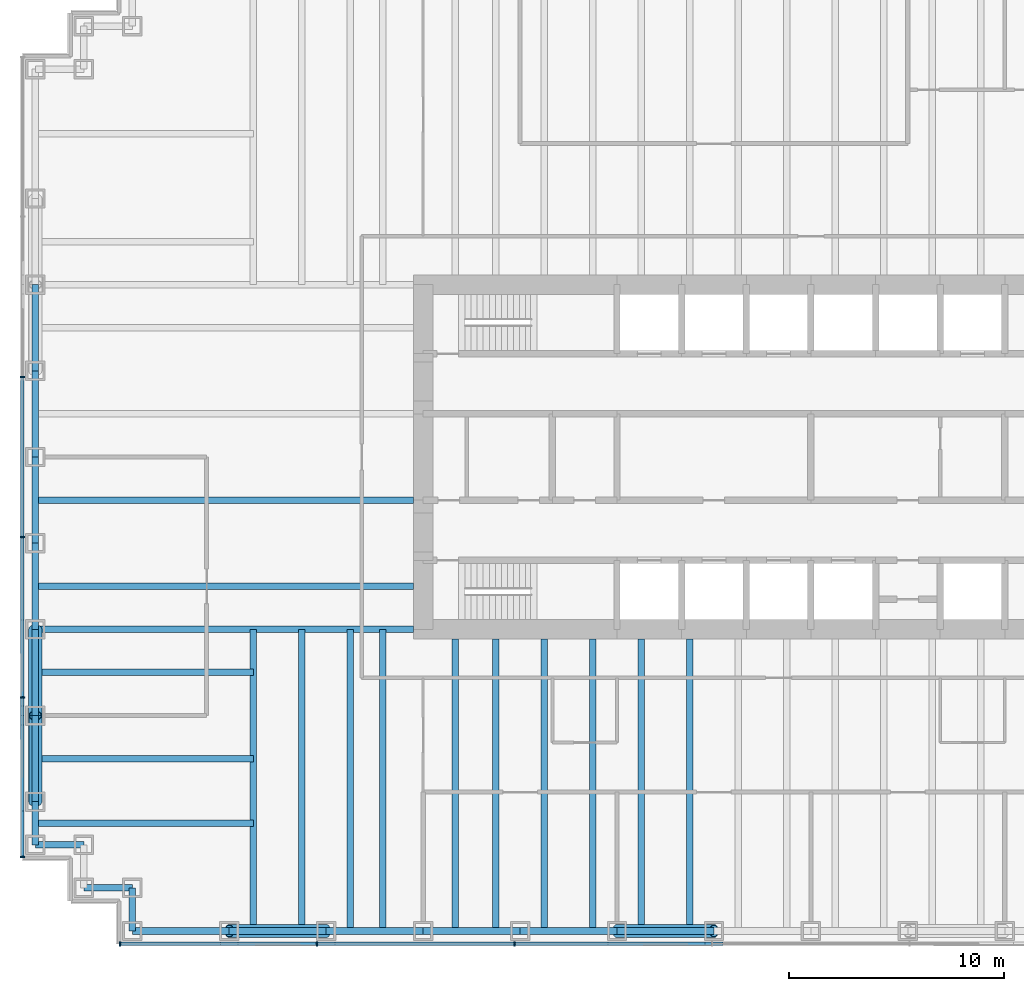
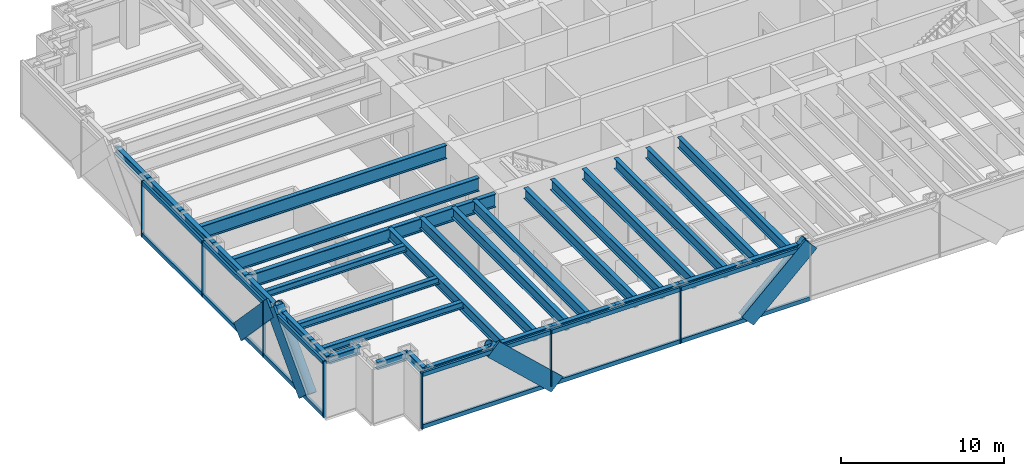
# One storey, part 2 of 15: 32 beams, 27 members, 2 elements without a shape of their own.
"""IFC4 building model written with IfcOpenShell, lengths in metres."""

from ifc_helpers import new_model, si_unit, direction, frame, origin, origin_2d, place, context, subcontext, project, spatial, rectangle, hollow_circle, i_section, extrude, material, material_profile, profile_set, type_object, element, aggregate, save


model = new_model("IFC4")

# Units and contexts
model_context = context("Model", 3, precision=1e-05, world=origin(), true_north=direction((0.0, 1.0)))
body_context = subcontext(model_context, "Body", "Model", "MODEL_VIEW")
ifc_project = project(units=[si_unit("LENGTHUNIT", "METRE"), si_unit("AREAUNIT", "SQUARE_METRE"), si_unit("VOLUMEUNIT", "CUBIC_METRE"), si_unit("PLANEANGLEUNIT", "RADIAN"), si_unit("MASSUNIT", "GRAM", prefix="KILO")], contexts=[model_context])

# Site, building, storey
site_placement = place(None, origin())
site = spatial("IfcSite", under=ifc_project, at=site_placement, CompositionType="ELEMENT")
building_placement = place(site_placement, origin())
building = spatial("IfcBuilding", under=site, at=building_placement, Name="Rheinbord Bourse Tower", CompositionType="ELEMENT")
storey_placement = place(building_placement, frame((0.0, 0.0, 146.699951171875)))
storey = spatial("IfcBuildingStorey", under=building, at=storey_placement, Name="L32", CompositionType="ELEMENT", Elevation=146.699951171875)

# Curtain wall, members
ifc_material_1 = material(Name="Dark glass and black aluminium", Category="aluminium")
curtain_wall_type = type_object("IfcCurtainWallType", Name="CW2 DARK GLASS CURTAIN WALL", PredefinedType="USERDEFINED", material=ifc_material_1)
curtain_wall_1_placement = place(storey_placement, origin())
curtain_wall_1 = element("IfcCurtainWall", 1, at=curtain_wall_1_placement, inside=storey, type_object=curtain_wall_type, Name="Curtain wall CW2 S L32", ObjectType="UNITISED CURTAIN WALL", PredefinedType="USERDEFINED")
ifc_material_2 = material(Name="Black anodised aluminium", Category="aluminium")
ifc_material_profile_1 = material_profile(ifc_material_2, rectangle(XDim=0.159912109375, YDim=1.2099609375, at=origin_2d()), Name="CW2 DIAGONAL MULLION 1210x160")
ifc_profile_set_1 = profile_set([ifc_material_profile_1], Name="Black anodised aluminium")
member_type_1 = type_object("IfcMemberType", Name="CW2 BLACK DIAGONAL MULLION", PredefinedType="USERDEFINED", material=ifc_profile_set_1)
member_1_placement = place(storey_placement, frame((27.0, 1.39990234375, 0.0), z_axis=(0.73105922506, 0.0, 0.682314010889), x_axis=(0.0, 1.0, 0.0)))
member_1 = element("IfcMember", 2, at=member_1_placement, type_object=member_type_1, Name="CW2 diagonal mullion a", ObjectType="DIAGONAL MULLION", PredefinedType="USERDEFINED", context=body_context, shape_type="SweptSolid", body=[
    extrude(rectangle(XDim=0.159912109375, YDim=1.2099609375, at=origin_2d()), origin(), (0.0, 0.0, 1.0), 6.155517578125),
])
member_2_placement = place(storey_placement, frame((13.5, 1.39990234375, 0.0), z_axis=(-0.73105922506, 0.0, 0.682314010889), x_axis=(0.0, -1.0, 0.0)))
member_2 = element("IfcMember", 3, at=member_2_placement, type_object=member_type_1, Name="CW2 diagonal mullion d", ObjectType="DIAGONAL MULLION", PredefinedType="USERDEFINED", context=body_context, shape_type="SweptSolid", body=[
    extrude(rectangle(XDim=0.159912109375, YDim=1.2099609375, at=origin_2d()), origin(), (0.0, 0.0, 1.0), 6.155517578125),
])

curtain_wall_2_placement = place(storey_placement, origin())
curtain_wall_2 = element("IfcCurtainWall", 4, at=curtain_wall_2_placement, inside=storey, type_object=curtain_wall_type, Name="Curtain wall CW2 W L32", ObjectType="UNITISED CURTAIN WALL", PredefinedType="USERDEFINED")
member_3_placement = place(storey_placement, frame((-0.60009765625, 16.0, 0.0), z_axis=(0.0, -0.689659376744, 0.724133926887), x_axis=(1.0, 0.0, 0.0)))
member_3 = element("IfcMember", 5, at=member_3_placement, type_object=member_type_1, Name="CW2 diagonal mullion a", ObjectType="DIAGONAL MULLION", PredefinedType="USERDEFINED", context=body_context, shape_type="SweptSolid", body=[
    extrude(rectangle(XDim=0.159912109375, YDim=1.2099609375, at=origin_2d()), origin(), (0.0, 0.0, 1.0), 5.800048828125),
])
member_4_placement = place(storey_placement, frame((-0.60009765625, 8.0, 0.0), z_axis=(0.0, 0.689659376744, 0.724133926887), x_axis=(-1.0, 0.0, 0.0)))
member_4 = element("IfcMember", 6, at=member_4_placement, type_object=member_type_1, Name="CW2 diagonal mullion c", ObjectType="DIAGONAL MULLION", PredefinedType="USERDEFINED", context=body_context, shape_type="SweptSolid", body=[
    extrude(rectangle(XDim=0.159912109375, YDim=1.2099609375, at=origin_2d()), origin(), (0.0, 0.0, 1.0), 5.800048828125),
])

# Member
ifc_material_3 = material(Name="Black anodised aluminium", Category="aluminium")
ifc_material_profile_2 = material_profile(ifc_material_3, rectangle(XDim=0.219970703125, YDim=0.070068359375, at=origin_2d()), Name="CW2 MULLION 70x220")
ifc_profile_set_2 = profile_set([ifc_material_profile_2], Name="Black anodised aluminium")
member_type_2 = type_object("IfcMemberType", Name="CW2 BLACK MULLION", PredefinedType="MULLION", material=ifc_profile_set_2)
member_5_placement = place(storey_placement, frame((3.93505859375, 1.39990234375, 0.0), z_axis=(0.0, 0.0, 1.0), x_axis=(0.0, 1.0, 0.0)))
member_5 = element("IfcMember", 7, at=member_5_placement, type_object=member_type_2, Name="CW2 mullion 1", PredefinedType="MULLION", context=body_context, shape_type="SweptSolid", body=[
    extrude(rectangle(XDim=0.219970703125, YDim=0.070068359375, at=origin_2d()), origin(), (0.0, 0.0, 1.0), 4.199951171875),
])

member_6_placement = place(storey_placement, frame((13.071533203125, 1.39990234375, 0.0), z_axis=(0.0, 0.0, 1.0), x_axis=(0.0, 1.0, 0.0)))
member_6 = element("IfcMember", 8, at=member_6_placement, type_object=member_type_2, Name="CW2 mullion 2", PredefinedType="MULLION", context=body_context, shape_type="SweptSolid", body=[
    extrude(rectangle(XDim=0.219970703125, YDim=0.070068359375, at=origin_2d()), origin(), (0.0, 0.0, 1.0), 4.199951171875),
])

member_7_placement = place(storey_placement, frame((22.242919921875, 1.39990234375, 0.0), z_axis=(0.0, 0.0, 1.0), x_axis=(0.0, 1.0, 0.0)))
member_7 = element("IfcMember", 9, at=member_7_placement, type_object=member_type_2, Name="CW2 mullion 3", PredefinedType="MULLION", context=body_context, shape_type="SweptSolid", body=[
    extrude(rectangle(XDim=0.219970703125, YDim=0.070068359375, at=origin_2d()), origin(), (0.0, 0.0, 1.0), 4.199951171875),
])

member_8_placement = place(storey_placement, frame((-0.60009765625, 27.719970703125, 0.0), z_axis=(0.0, 0.0, 1.0), x_axis=(1.0, 0.0, 0.0)))
member_8 = element("IfcMember", 10, at=member_8_placement, type_object=member_type_2, Name="CW2 mullion 3", PredefinedType="MULLION", context=body_context, shape_type="SweptSolid", body=[
    extrude(rectangle(XDim=0.219970703125, YDim=0.070068359375, at=origin_2d()), origin(), (0.0, 0.0, 1.0), 4.199951171875),
])

member_9_placement = place(storey_placement, frame((-0.60009765625, 20.280029296875, 0.0), z_axis=(0.0, 0.0, 1.0), x_axis=(1.0, 0.0, 0.0)))
member_9 = element("IfcMember", 11, at=member_9_placement, type_object=member_type_2, Name="CW2 mullion 4", PredefinedType="MULLION", context=body_context, shape_type="SweptSolid", body=[
    extrude(rectangle(XDim=0.219970703125, YDim=0.070068359375, at=origin_2d()), origin(), (0.0, 0.0, 1.0), 4.199951171875),
])

member_10_placement = place(storey_placement, frame((-0.60009765625, 12.840087890625, 0.0), z_axis=(0.0, 0.0, 1.0), x_axis=(1.0, 0.0, 0.0)))
member_10 = element("IfcMember", 12, at=member_10_placement, type_object=member_type_2, Name="CW2 mullion 5", PredefinedType="MULLION", context=body_context, shape_type="SweptSolid", body=[
    extrude(rectangle(XDim=0.219970703125, YDim=0.070068359375, at=origin_2d()), origin(), (0.0, 0.0, 1.0), 4.199951171875),
])

member_11_placement = place(storey_placement, frame((-0.60009765625, 5.43505859375, 0.0), z_axis=(0.0, 0.0, 1.0), x_axis=(1.0, 0.0, 0.0)))
member_11 = element("IfcMember", 13, at=member_11_placement, type_object=member_type_2, Name="CW2 mullion 6", PredefinedType="MULLION", context=body_context, shape_type="SweptSolid", body=[
    extrude(rectangle(XDim=0.219970703125, YDim=0.070068359375, at=origin_2d()), origin(), (0.0, 0.0, 1.0), 4.199951171875),
])

ifc_material_4 = material(Name="Black anodised aluminium", Category="aluminium")
ifc_material_profile_3 = material_profile(ifc_material_4, rectangle(XDim=0.159912109375, YDim=0.300048828125, at=origin_2d()), Name="CW2 TRANSOM 300x160")
ifc_profile_set_3 = profile_set([ifc_material_profile_3], Name="Black anodised aluminium")
member_type_3 = type_object("IfcMemberType", Name="CW2 BLACK TRANSOM", PredefinedType="USERDEFINED", material=ifc_profile_set_3)
member_12_placement = place(storey_placement, frame((3.969970703125, 1.39990234375, 0.150146484375), z_axis=(1.0, 0.0, 0.0), x_axis=(0.0, 1.0, 0.0)))
member_12 = element("IfcMember", 14, at=member_12_placement, type_object=member_type_3, Name="CW2 transom 1.1", ObjectType="TRANSOM", PredefinedType="USERDEFINED", context=body_context, shape_type="SweptSolid", body=[
    extrude(rectangle(XDim=0.159912109375, YDim=0.300048828125, at=origin_2d()), origin(), (0.0, 0.0, 1.0), 9.06640625),
])

member_13_placement = place(storey_placement, frame((3.969970703125, 1.39990234375, 4.050048828125), z_axis=(1.0, 0.0, 0.0), x_axis=(0.0, 1.0, 0.0)))
member_13 = element("IfcMember", 15, at=member_13_placement, type_object=member_type_3, Name="CW2 transom 1.2", ObjectType="TRANSOM", PredefinedType="USERDEFINED", context=body_context, shape_type="SweptSolid", body=[
    extrude(rectangle(XDim=0.159912109375, YDim=0.300048828125, at=origin_2d()), origin(), (0.0, 0.0, 1.0), 9.06640625),
])

member_14_placement = place(storey_placement, frame((13.1064453125, 1.39990234375, 0.150146484375), z_axis=(1.0, 0.0, 0.0), x_axis=(0.0, 1.0, 0.0)))
member_14 = element("IfcMember", 16, at=member_14_placement, type_object=member_type_3, Name="CW2 transom 2.1", ObjectType="TRANSOM", PredefinedType="USERDEFINED", context=body_context, shape_type="SweptSolid", body=[
    extrude(rectangle(XDim=0.159912109375, YDim=0.300048828125, at=origin_2d()), origin(), (0.0, 0.0, 1.0), 9.101318359375),
])

member_15_placement = place(storey_placement, frame((13.1064453125, 1.39990234375, 4.050048828125), z_axis=(1.0, 0.0, 0.0), x_axis=(0.0, 1.0, 0.0)))
member_15 = element("IfcMember", 17, at=member_15_placement, type_object=member_type_3, Name="CW2 transom 2.2", ObjectType="TRANSOM", PredefinedType="USERDEFINED", context=body_context, shape_type="SweptSolid", body=[
    extrude(rectangle(XDim=0.159912109375, YDim=0.300048828125, at=origin_2d()), origin(), (0.0, 0.0, 1.0), 9.101318359375),
])

member_16_placement = place(storey_placement, frame((22.27783203125, 1.39990234375, 0.150146484375), z_axis=(1.0, 0.0, 0.0), x_axis=(0.0, 1.0, 0.0)))
member_16 = element("IfcMember", 18, at=member_16_placement, type_object=member_type_3, Name="CW2 transom 3.1", ObjectType="TRANSOM", PredefinedType="USERDEFINED", context=body_context, shape_type="SweptSolid", body=[
    extrude(rectangle(XDim=0.159912109375, YDim=0.300048828125, at=origin_2d()), origin(), (0.0, 0.0, 1.0), 9.1015625),
])

member_17_placement = place(storey_placement, frame((22.27783203125, 1.39990234375, 4.050048828125), z_axis=(1.0, 0.0, 0.0), x_axis=(0.0, 1.0, 0.0)))
member_17 = element("IfcMember", 19, at=member_17_placement, type_object=member_type_3, Name="CW2 transom 3.2", ObjectType="TRANSOM", PredefinedType="USERDEFINED", context=body_context, shape_type="SweptSolid", body=[
    extrude(rectangle(XDim=0.159912109375, YDim=0.300048828125, at=origin_2d()), origin(), (0.0, 0.0, 1.0), 9.1015625),
])

aggregate(curtain_wall_1, [member_5, member_6, member_7, member_12, member_13, member_14, member_15, member_16, member_17, member_1, member_2])

member_18_placement = place(storey_placement, frame((-0.60009765625, 27.68505859375, 0.150146484375), z_axis=(0.0, -1.0, 0.0), x_axis=(1.0, 0.0, 0.0)))
member_18 = element("IfcMember", 20, at=member_18_placement, type_object=member_type_3, Name="CW2 transom 3.1", ObjectType="TRANSOM", PredefinedType="USERDEFINED", context=body_context, shape_type="SweptSolid", body=[
    extrude(rectangle(XDim=0.159912109375, YDim=0.300048828125, at=origin_2d()), origin(), (0.0, 0.0, 1.0), 7.3701171875),
])

member_19_placement = place(storey_placement, frame((-0.60009765625, 27.68505859375, 4.050048828125), z_axis=(0.0, -1.0, 0.0), x_axis=(1.0, 0.0, 0.0)))
member_19 = element("IfcMember", 21, at=member_19_placement, type_object=member_type_3, Name="CW2 transom 3.2", ObjectType="TRANSOM", PredefinedType="USERDEFINED", context=body_context, shape_type="SweptSolid", body=[
    extrude(rectangle(XDim=0.159912109375, YDim=0.300048828125, at=origin_2d()), origin(), (0.0, 0.0, 1.0), 7.3701171875),
])

member_20_placement = place(storey_placement, frame((-0.60009765625, 20.2451171875, 0.150146484375), z_axis=(0.0, -1.0, 0.0), x_axis=(1.0, 0.0, 0.0)))
member_20 = element("IfcMember", 22, at=member_20_placement, type_object=member_type_3, Name="CW2 transom 4.1", ObjectType="TRANSOM", PredefinedType="USERDEFINED", context=body_context, shape_type="SweptSolid", body=[
    extrude(rectangle(XDim=0.159912109375, YDim=0.300048828125, at=origin_2d()), origin(), (0.0, 0.0, 1.0), 7.3701171875),
])

member_21_placement = place(storey_placement, frame((-0.60009765625, 20.2451171875, 4.050048828125), z_axis=(0.0, -1.0, 0.0), x_axis=(1.0, 0.0, 0.0)))
member_21 = element("IfcMember", 23, at=member_21_placement, type_object=member_type_3, Name="CW2 transom 4.2", ObjectType="TRANSOM", PredefinedType="USERDEFINED", context=body_context, shape_type="SweptSolid", body=[
    extrude(rectangle(XDim=0.159912109375, YDim=0.300048828125, at=origin_2d()), origin(), (0.0, 0.0, 1.0), 7.3701171875),
])

member_22_placement = place(storey_placement, frame((-0.60009765625, 12.804931640625, 0.150146484375), z_axis=(0.0, -1.0, 0.0), x_axis=(1.0, 0.0, 0.0)))
member_22 = element("IfcMember", 24, at=member_22_placement, type_object=member_type_3, Name="CW2 transom 5.1", ObjectType="TRANSOM", PredefinedType="USERDEFINED", context=body_context, shape_type="SweptSolid", body=[
    extrude(rectangle(XDim=0.159912109375, YDim=0.300048828125, at=origin_2d()), origin(), (0.0, 0.0, 1.0), 7.3349609375),
])

member_23_placement = place(storey_placement, frame((-0.60009765625, 12.804931640625, 4.050048828125), z_axis=(0.0, -1.0, 0.0), x_axis=(1.0, 0.0, 0.0)))
member_23 = element("IfcMember", 25, at=member_23_placement, type_object=member_type_3, Name="CW2 transom 5.2", ObjectType="TRANSOM", PredefinedType="USERDEFINED", context=body_context, shape_type="SweptSolid", body=[
    extrude(rectangle(XDim=0.159912109375, YDim=0.300048828125, at=origin_2d()), origin(), (0.0, 0.0, 1.0), 7.3349609375),
])

aggregate(curtain_wall_2, [member_8, member_9, member_10, member_11, member_18, member_19, member_20, member_21, member_22, member_23, member_3, member_4])

# Beams
ifc_material_5 = material(Name="Steel S460", Category="steel")
ifc_material_profile_4 = material_profile(ifc_material_5, i_section(OverallWidth=0.302001953125, OverallDepth=1.008056640625, WebThickness=0.02099609375, FlangeThickness=0.0400390625, at=origin_2d()), Name="HEM 1000")
ifc_profile_set_4 = profile_set([ifc_material_profile_4], Name="Steel S460")
beam_type_1 = type_object("IfcBeamType", Name="END BEAM HEM 1000", PredefinedType="BEAM", material=ifc_profile_set_4)
for number, where, z_axis, x_axis, name in (
    (26, (0.0, 18.0, 3.5361328125), (1.0, 0.0, 0.0), (0.0, 1.0, 0.0), "End beam west 18 L33"),
    (27, (0.0, 22.0, 3.5361328125), (1.0, 0.0, 0.0), (0.0, 1.0, 0.0), "End beam west 22 L33"),
):
    element("IfcBeam", number, at=place(storey_placement, frame(where, z_axis=z_axis, x_axis=x_axis)), inside=storey, type_object=beam_type_1, Name=name, PredefinedType="BEAM", context=body_context, shape_type="SweptSolid", body=[
        extrude(i_section(OverallWidth=0.302001953125, OverallDepth=1.008056640625, WebThickness=0.02099609375, FlangeThickness=0.0400390625, at=origin_2d()), origin(), (0.0, 0.0, 1.0), 17.550048828125),
    ])
ifc_material_6 = material(Name="Steel S460", Category="steel")
ifc_material_profile_5 = material_profile(ifc_material_6, i_section(OverallWidth=0.300048828125, OverallDepth=0.800048828125, WebThickness=0.017578125, FlangeThickness=0.032958984375, at=origin_2d()), Name="HEB 800")
ifc_profile_set_5 = profile_set([ifc_material_profile_5], Name="Steel S460")
beam_type_2 = type_object("IfcBeamType", Name="FLOOR BEAM HEB 800", PredefinedType="BEAM", material=ifc_profile_set_5)
for number, where, z_axis, x_axis, name in (
    (28, (10.125, 2.0, 3.64013671875), (0.0, 1.0, 0.0), (-1.0, 0.0, 0.0), "Floor beam S-9a L33"),
    (29, (12.375, 2.0, 3.64013671875), (0.0, 1.0, 0.0), (-1.0, 0.0, 0.0), "Floor beam S-9b L33"),
    (30, (14.625, 2.0, 3.64013671875), (0.0, 1.0, 0.0), (-1.0, 0.0, 0.0), "Floor beam S-13.5a L33"),
    (31, (16.125, 2.0, 3.64013671875), (0.0, 1.0, 0.0), (-1.0, 0.0, 0.0), "Floor beam S-13.5b L33"),
):
    element("IfcBeam", number, at=place(storey_placement, frame(where, z_axis=z_axis, x_axis=x_axis)), inside=storey, type_object=beam_type_2, Name=name, PredefinedType="BEAM", context=body_context, shape_type="SweptSolid", body=[
        extrude(i_section(OverallWidth=0.300048828125, OverallDepth=0.800048828125, WebThickness=0.017578125, FlangeThickness=0.032958984375, at=origin_2d()), origin(), (0.0, 0.0, 1.0), 14.0),
    ])
for number, where, z_axis, x_axis, name in (
    (32, (19.5, 2.0, 3.64013671875), (0.0, 1.0, 0.0), (-1.0, 0.0, 0.0), "Floor beam S-18a L33"),
    (33, (21.375, 2.0, 3.64013671875), (0.0, 1.0, 0.0), (-1.0, 0.0, 0.0), "Floor beam S-18b L33"),
    (34, (23.625, 2.0, 3.64013671875), (0.0, 1.0, 0.0), (-1.0, 0.0, 0.0), "Floor beam S-22.5a L33"),
    (35, (25.875, 2.0, 3.64013671875), (0.0, 1.0, 0.0), (-1.0, 0.0, 0.0), "Floor beam S-22.5b L33"),
    (36, (28.125, 2.0, 3.64013671875), (0.0, 1.0, 0.0), (-1.0, 0.0, 0.0), "Floor beam S-27a L33"),
    (37, (30.375, 2.0, 3.64013671875), (0.0, 1.0, 0.0), (-1.0, 0.0, 0.0), "Floor beam S-27b L33"),
):
    element("IfcBeam", number, at=place(storey_placement, frame(where, z_axis=z_axis, x_axis=x_axis)), inside=storey, type_object=beam_type_2, Name=name, PredefinedType="BEAM", context=body_context, shape_type="SweptSolid", body=[
        extrude(i_section(OverallWidth=0.300048828125, OverallDepth=0.800048828125, WebThickness=0.017578125, FlangeThickness=0.032958984375, at=origin_2d()), origin(), (0.0, 0.0, 1.0), 13.550048828125),
    ])
ifc_material_7 = material(Name="Steel S460", Category="steel")
ifc_material_profile_6 = material_profile(ifc_material_7, i_section(OverallWidth=0.302001953125, OverallDepth=1.008056640625, WebThickness=0.02099609375, FlangeThickness=0.0400390625, at=origin_2d()), Name="HEM 1000")
ifc_profile_set_6 = profile_set([ifc_material_profile_6], Name="Steel S460")
beam_type_3 = type_object("IfcBeamType", Name="GIRDER HEM 1000", PredefinedType="BEAM", material=ifc_profile_set_6)
beam_1_placement = place(storey_placement, frame((0.0, 16.0, 3.5361328125), z_axis=(1.0, 0.0, 0.0), x_axis=(0.0, 1.0, 0.0)))
element("IfcBeam", 38, at=beam_1_placement, inside=storey, type_object=beam_type_3, Name="Girder west 16 L33", PredefinedType="BEAM", context=body_context, shape_type="SweptSolid", body=[
    extrude(i_section(OverallWidth=0.302001953125, OverallDepth=1.008056640625, WebThickness=0.02099609375, FlangeThickness=0.0400390625, at=origin_2d()), origin(), (0.0, 0.0, 1.0), 17.550048828125),
])

# Members
ifc_material_8 = material(Name="Steel S460", Category="steel")
ifc_material_profile_7 = material_profile(ifc_material_8, hollow_circle(Radius=0.304931640625, WallThickness=0.0400390625, at=origin_2d()), Name="CHS 610x40")
ifc_profile_set_7 = profile_set([ifc_material_profile_7], Name="Steel S460")
member_type_4 = type_object("IfcMemberType", Name="MEGABRACE CHS 610x40", PredefinedType="BRACE", material=ifc_profile_set_7)
for number, where, z_axis, x_axis, name in (
    (39, (27.0, 2.0, 0.0), (0.73105922506, 0.0, 0.682314010889), (0.0, 1.0, 0.0), "Megabrace S face line a L32"),
    (40, (13.5, 2.0, 0.0), (-0.73105922506, 0.0, 0.682314010889), (0.0, -1.0, 0.0), "Megabrace S face line d L32"),
):
    element("IfcMember", number, at=place(storey_placement, frame(where, z_axis=z_axis, x_axis=x_axis)), inside=storey, type_object=member_type_4, Name=name, PredefinedType="BRACE", context=body_context, shape_type="SweptSolid", body=[
        extrude(hollow_circle(Radius=0.304931640625, WallThickness=0.0400390625, at=origin_2d()), origin(), (0.0, 0.0, 1.0), 6.155517578125),
    ])
for number, where, z_axis, x_axis, name in (
    (41, (0.0, 16.0, 0.0), (0.0, -0.689659376744, 0.724133926887), (1.0, 0.0, 0.0), "Megabrace W face line a L32"),
    (42, (0.0, 8.0, 0.0), (0.0, 0.689659376744, 0.724133926887), (-1.0, 0.0, 0.0), "Megabrace W face line c L32"),
):
    element("IfcMember", number, at=place(storey_placement, frame(where, z_axis=z_axis, x_axis=x_axis)), inside=storey, type_object=member_type_4, Name=name, PredefinedType="BRACE", context=body_context, shape_type="SweptSolid", body=[
        extrude(hollow_circle(Radius=0.304931640625, WallThickness=0.0400390625, at=origin_2d()), origin(), (0.0, 0.0, 1.0), 5.800048828125),
    ])

# Beams
ifc_material_9 = material(Name="Steel S460", Category="steel")
ifc_material_profile_8 = material_profile(ifc_material_9, i_section(OverallWidth=0.305908203125, OverallDepth=0.572021484375, WebThickness=0.02099609375, FlangeThickness=0.0400390625, at=origin_2d()), Name="HEM 550")
ifc_profile_set_8 = profile_set([ifc_material_profile_8], Name="Steel S460")
beam_type_4 = type_object("IfcBeamType", Name="SPANDREL HEM 550", PredefinedType="SPANDREL", material=ifc_profile_set_8)
for number, where, z_axis, x_axis, name in (
    (43, (4.5, 2.0, 3.754150390625), (1.0, 0.0, 0.0), (0.0, 1.0, 0.0), "Spandrel SW-E-S-9 under L33"),
    (44, (9.0, 2.0, 3.754150390625), (1.0, 0.0, 0.0), (0.0, 1.0, 0.0), "Spandrel S-9-S-13.5 under L33"),
    (45, (13.5, 2.0, 3.754150390625), (1.0, 0.0, 0.0), (0.0, 1.0, 0.0), "Spandrel S-13.5-S-18 under L33"),
    (46, (18.0, 2.0, 3.754150390625), (1.0, 0.0, 0.0), (0.0, 1.0, 0.0), "Spandrel S-18-S-22.5 under L33"),
    (47, (22.5, 2.0, 3.754150390625), (1.0, 0.0, 0.0), (0.0, 1.0, 0.0), "Spandrel S-22.5-S-27 under L33"),
    (48, (27.0, 2.0, 3.754150390625), (1.0, 0.0, 0.0), (0.0, 1.0, 0.0), "Spandrel S-27-S-31.5 under L33"),
):
    element("IfcBeam", number, at=place(storey_placement, frame(where, z_axis=z_axis, x_axis=x_axis)), inside=storey, type_object=beam_type_4, Name=name, PredefinedType="SPANDREL", context=body_context, shape_type="SweptSolid", body=[
        extrude(i_section(OverallWidth=0.305908203125, OverallDepth=0.572021484375, WebThickness=0.02099609375, FlangeThickness=0.0400390625, at=origin_2d()), origin(), (0.0, 0.0, 1.0), 4.5),
    ])
for number, where, z_axis, x_axis, name in (
    (49, (0.0, 32.0, 3.754150390625), (0.0, -1.0, 0.0), (1.0, 0.0, 0.0), "Spandrel W-32-W-28 under L33"),
    (50, (0.0, 28.0, 3.754150390625), (0.0, -1.0, 0.0), (1.0, 0.0, 0.0), "Spandrel W-28-W-24 under L33"),
    (51, (0.0, 24.0, 3.754150390625), (0.0, -1.0, 0.0), (1.0, 0.0, 0.0), "Spandrel W-24-W-20 under L33"),
    (52, (0.0, 20.0, 3.754150390625), (0.0, -1.0, 0.0), (1.0, 0.0, 0.0), "Spandrel W-20-W-16 under L33"),
    (53, (0.0, 16.0, 3.754150390625), (0.0, -1.0, 0.0), (1.0, 0.0, 0.0), "Spandrel W-16-W-12 under L33"),
    (54, (0.0, 12.0, 3.754150390625), (0.0, -1.0, 0.0), (1.0, 0.0, 0.0), "Spandrel W-12-W-8 under L33"),
):
    element("IfcBeam", number, at=place(storey_placement, frame(where, z_axis=z_axis, x_axis=x_axis)), inside=storey, type_object=beam_type_4, Name=name, PredefinedType="SPANDREL", context=body_context, shape_type="SweptSolid", body=[
        extrude(i_section(OverallWidth=0.305908203125, OverallDepth=0.572021484375, WebThickness=0.02099609375, FlangeThickness=0.0400390625, at=origin_2d()), origin(), (0.0, 0.0, 1.0), 4.0),
    ])
beam_2_placement = place(storey_placement, frame((0.0, 8.0, 3.754150390625), z_axis=(0.0, -1.0, 0.0), x_axis=(1.0, 0.0, 0.0)))
element("IfcBeam", 55, at=beam_2_placement, inside=storey, type_object=beam_type_4, Name="Spandrel W-8-SW-A under L33", PredefinedType="SPANDREL", context=body_context, shape_type="SweptSolid", body=[
    extrude(i_section(OverallWidth=0.305908203125, OverallDepth=0.572021484375, WebThickness=0.02099609375, FlangeThickness=0.0400390625, at=origin_2d()), origin(), (0.0, 0.0, 1.0), 2.0),
])
for number, where, z_axis, x_axis, name in (
    (56, (0.0, 6.0, 3.754150390625), (1.0, 0.0, 0.0), (0.0, 1.0, 0.0), "Spandrel SW-A-SW-B under L33"),
    (57, (2.25, 4.0, 3.754150390625), (1.0, 0.0, 0.0), (0.0, 1.0, 0.0), "Spandrel SW-C-SW-D under L33"),
):
    element("IfcBeam", number, at=place(storey_placement, frame(where, z_axis=z_axis, x_axis=x_axis)), inside=storey, type_object=beam_type_4, Name=name, PredefinedType="SPANDREL", context=body_context, shape_type="SweptSolid", body=[
        extrude(i_section(OverallWidth=0.305908203125, OverallDepth=0.572021484375, WebThickness=0.02099609375, FlangeThickness=0.0400390625, at=origin_2d()), origin(), (0.0, 0.0, 1.0), 2.25),
    ])
beam_3_placement = place(storey_placement, frame((4.5, 4.0, 3.754150390625), z_axis=(0.0, -1.0, 0.0), x_axis=(1.0, 0.0, 0.0)))
element("IfcBeam", 58, at=beam_3_placement, inside=storey, type_object=beam_type_4, Name="Spandrel SW-D-SW-E under L33", PredefinedType="SPANDREL", context=body_context, shape_type="SweptSolid", body=[
    extrude(i_section(OverallWidth=0.305908203125, OverallDepth=0.572021484375, WebThickness=0.02099609375, FlangeThickness=0.0400390625, at=origin_2d()), origin(), (0.0, 0.0, 1.0), 2.0),
])
ifc_material_10 = material(Name="Steel S460", Category="steel")
ifc_material_profile_9 = material_profile(ifc_material_10, i_section(OverallWidth=0.300048828125, OverallDepth=0.5, WebThickness=0.014404296875, FlangeThickness=0.028076171875, at=origin_2d()), Name="HEB 500")
ifc_profile_set_9 = profile_set([ifc_material_profile_9], Name="Steel S460")
beam_type_5 = type_object("IfcBeamType", Name="TIE BEAM HEB 500", PredefinedType="JOIST", material=ifc_profile_set_9)
for number, where, z_axis, x_axis, name in (
    (59, (0.0, 7.0, 3.7900390625), (1.0, 0.0, 0.0), (0.0, 1.0, 0.0), "Tie west 7 L33"),
    (60, (0.0, 10.0, 3.7900390625), (1.0, 0.0, 0.0), (0.0, 1.0, 0.0), "Tie west 10 L33"),
    (61, (0.0, 14.0, 3.7900390625), (1.0, 0.0, 0.0), (0.0, 1.0, 0.0), "Tie west 14 L33"),
):
    element("IfcBeam", number, at=place(storey_placement, frame(where, z_axis=z_axis, x_axis=x_axis)), inside=storey, type_object=beam_type_5, Name=name, PredefinedType="JOIST", context=body_context, shape_type="SweptSolid", body=[
        extrude(i_section(OverallWidth=0.300048828125, OverallDepth=0.5, WebThickness=0.014404296875, FlangeThickness=0.028076171875, at=origin_2d()), origin(), (0.0, 0.0, 1.0), 10.125),
    ])

save(model, "model.ifc")
